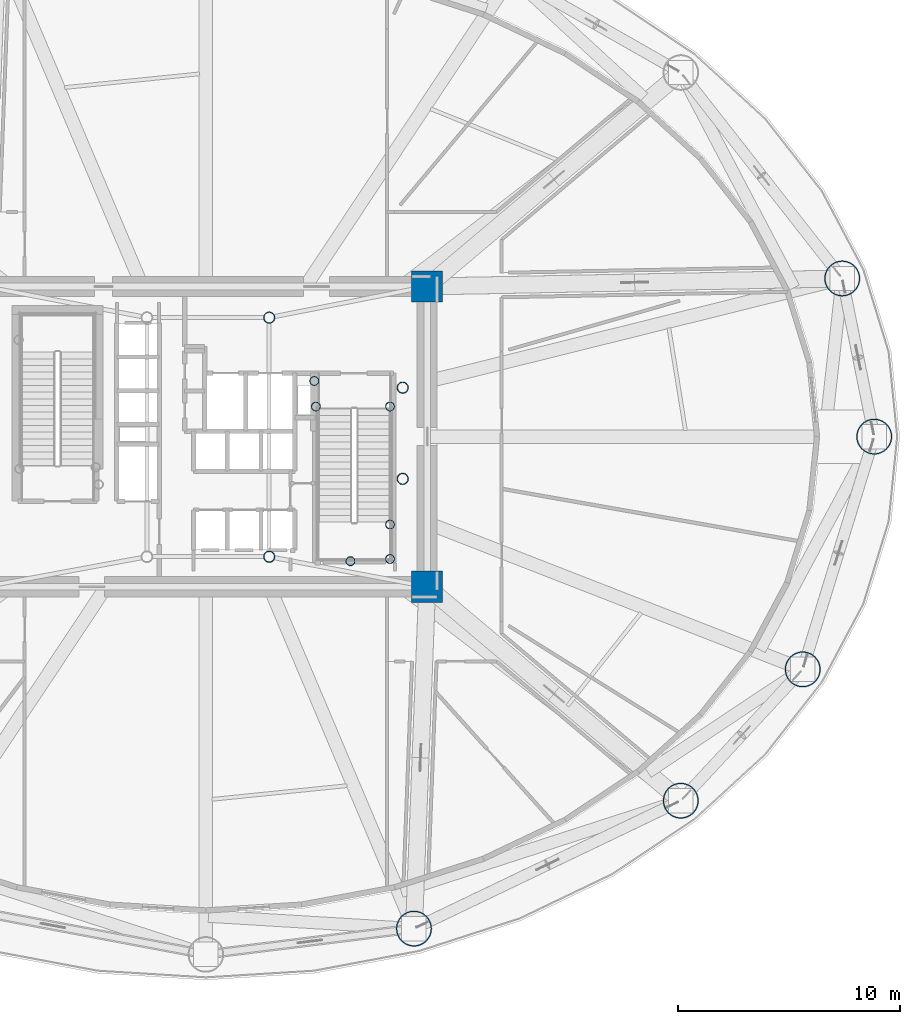
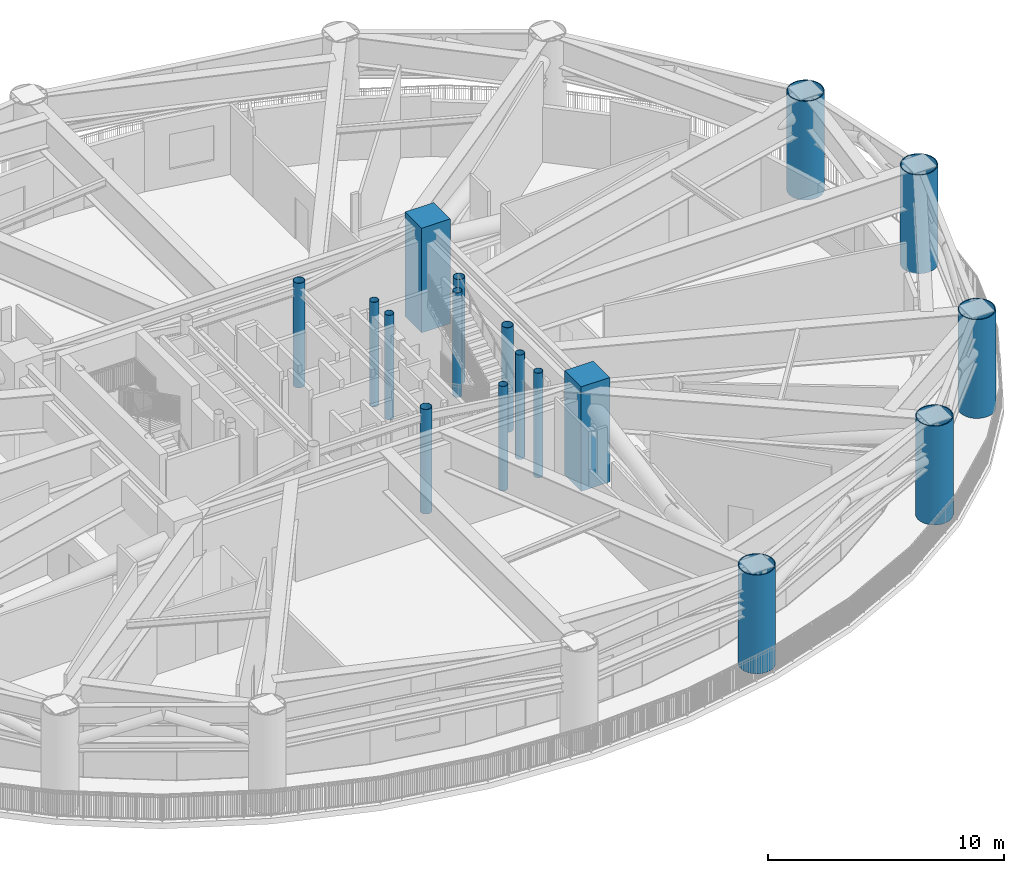
# One storey, part 2 of 22: 17 columns.
"""IFC4 building model written with IfcOpenShell, lengths in metres."""

from ifc_helpers import new_model, si_unit, direction, frame, origin, origin_2d, place, context, subcontext, project, spatial, rectangle, hollow_circle, extrude, material, material_profile, profile_set, type_object, element, save


model = new_model("IFC4")

# Units and contexts
model_context = context("Model", 3, precision=1e-05, world=origin(), true_north=direction((0.0, 1.0)))
body_context = subcontext(model_context, "Body", "Model", "MODEL_VIEW")
ifc_project = project(units=[si_unit("LENGTHUNIT", "METRE"), si_unit("AREAUNIT", "SQUARE_METRE"), si_unit("VOLUMEUNIT", "CUBIC_METRE"), si_unit("PLANEANGLEUNIT", "RADIAN"), si_unit("MASSUNIT", "GRAM", prefix="KILO")], contexts=[model_context])

# Site, building, storey
site_placement = place(None, origin())
site = spatial("IfcSite", under=ifc_project, at=site_placement, CompositionType="ELEMENT")
building_placement = place(site_placement, origin())
building = spatial("IfcBuilding", under=site, at=building_placement, Name="Linh Dai School and Residence Tower", CompositionType="ELEMENT")
storey_placement = place(building_placement, frame((0.0, 0.0, 87.0)))
storey = spatial("IfcBuildingStorey", under=building, at=storey_placement, Name="L20", CompositionType="ELEMENT", Elevation=87.0)

# Columns
ifc_material_1 = material(Name="Concrete B60 (C50/60)", Category="concrete")
ifc_material_profile_1 = material_profile(ifc_material_1, rectangle(XDim=1.39990234375, YDim=1.39990234375, at=origin_2d()), Name="RC 1400x1400")
ifc_profile_set_1 = profile_set([ifc_material_profile_1], Name="Concrete B60 (C50/60)")
column_type_1 = type_object("IfcColumnType", Name="COL-CC1", PredefinedType="COLUMN", material=ifc_profile_set_1)
for number, where, z_axis, x_axis, name in (
    (1, (45.949951171875, 20.25, 0.0), (0.0, 0.0, 1.0), (1.0, 0.0, 0.0), "L20 Core Corner Pier CC2"),
    (2, (45.949951171875, 33.75, 0.0), (0.0, 0.0, 1.0), (1.0, 0.0, 0.0), "L20 Core Corner Pier CC3"),
):
    element("IfcColumn", number, at=place(storey_placement, frame(where, z_axis=z_axis, x_axis=x_axis)), inside=storey, type_object=column_type_1, Name=name, PredefinedType="COLUMN", context=body_context, shape_type="SweptSolid", body=[
        extrude(rectangle(XDim=1.39990234375, YDim=1.39990234375, at=origin_2d()), origin(), (0.0, 0.0, 1.0), 5.39990234375),
    ])
ifc_material_2 = material(Name="Structural Steel S355JR", Category="steel")
ifc_material_profile_2 = material_profile(ifc_material_2, hollow_circle(Radius=0.203125, WallThickness=0.01611328125, at=origin_2d()), Name="CHS 406.4x16")
ifc_profile_set_2 = profile_set([ifc_material_profile_2], Name="Structural Steel S355JR")
column_type_2 = type_object("IfcColumnType", Name="COL-EC", PredefinedType="COLUMN", material=ifc_profile_set_2)
for number, where, z_axis, x_axis, name in (
    (3, (44.280029296875, 21.5, 0.0), (0.0, 0.0, 1.0), (1.0, 0.0, 0.0), "L20 Stair Shaft Landing Support Pier ST2SE"),
    (4, (44.280029296875, 23.050048828125, 0.0), (0.0, 0.0, 1.0), (1.0, 0.0, 0.0), "L20 Stair Shaft Landing Support Pier ST2NE"),
    (5, (42.5, 21.39990234375, 0.0), (0.0, 0.0, 1.0), (1.0, 0.0, 0.0), "L20 Stair Shaft Landing Support Pier ST2MS"),
    (6, (40.949951171875, 28.35009765625, 0.0), (0.0, 0.0, 1.0), (1.0, 0.0, 0.0), "L20 Stair Shaft Landing Support Pier ST2N1"),
    (7, (44.280029296875, 28.35009765625, 0.0), (0.0, 0.0, 1.0), (1.0, 0.0, 0.0), "L20 Stair Shaft Landing Support Pier ST2N2"),
    (8, (40.8798828125, 29.5, 0.0), (0.0, 0.0, 1.0), (1.0, 0.0, 0.0), "L20 Stair Shaft Landing Support Pier ST2N3"),
):
    element("IfcColumn", number, at=place(storey_placement, frame(where, z_axis=z_axis, x_axis=x_axis)), inside=storey, type_object=column_type_2, Name=name, PredefinedType="COLUMN", context=body_context, shape_type="SweptSolid", body=[
        extrude(hollow_circle(Radius=0.203125, WallThickness=0.01611328125, at=origin_2d()), origin(), (0.0, 0.0, 1.0), 5.39990234375),
    ])
ifc_material_profile_3 = material_profile(ifc_material_2, hollow_circle(Radius=0.800048828125, WallThickness=0.044921875, at=origin_2d()), Name="CHS 1600x45")
ifc_profile_set_3 = profile_set([ifc_material_profile_3], Name="Structural Steel S355JR")
column_type_3 = type_object("IfcColumnType", Name="COL-MC2", PredefinedType="COLUMN", material=ifc_profile_set_3)
for number, where, z_axis, x_axis, name in (
    (9, (66.050048828125, 27.0, 0.0), (0.0, 0.0, 1.0), (1.0, 0.0, 0.0), "L20 Perimeter CFT Mega-Column MC01"),
    (10, (64.61083984375, 34.108642578125, 0.0), (0.0, 0.0, 1.0), (1.0, 0.0, 0.0), "L20 Perimeter CFT Mega-Column MC02"),
    (11, (45.357666015625, 4.880126953125, 0.0), (0.0, 0.0, 1.0), (1.0, 0.0, 0.0), "L20 Perimeter CFT Mega-Column MC14"),
    (12, (57.352783203125, 10.630859375, 0.0), (0.0, 0.0, 1.0), (1.0, 0.0, 0.0), "L20 Perimeter CFT Mega-Column MC15"),
    (13, (62.83544921875, 16.5361328125, 0.0), (0.0, 0.0, 1.0), (1.0, 0.0, 0.0), "L20 Perimeter CFT Mega-Column MC16"),
):
    element("IfcColumn", number, at=place(storey_placement, frame(where, z_axis=z_axis, x_axis=x_axis)), inside=storey, type_object=column_type_3, Name=name, PredefinedType="COLUMN", context=body_context, shape_type="SweptSolid", body=[
        extrude(hollow_circle(Radius=0.800048828125, WallThickness=0.044921875, at=origin_2d()), origin(), (0.0, 0.0, 1.0), 5.10009765625),
    ])
ifc_material_profile_4 = material_profile(ifc_material_2, hollow_circle(Radius=0.25390625, WallThickness=0.02001953125, at=origin_2d()), Name="CHS 508x20")
ifc_profile_set_4 = profile_set([ifc_material_profile_4], Name="Structural Steel S355JR")
column_type_4 = type_object("IfcColumnType", Name="COL-MCP", PredefinedType="COLUMN", material=ifc_profile_set_4)
for number, where, z_axis, x_axis, name in (
    (14, (38.85009765625, 21.60009765625, 0.0), (0.0, 0.0, 1.0), (1.0, 0.0, 0.0), "L20 Core Mast Support Pier MCP2"),
    (15, (38.85009765625, 32.35009765625, 0.0), (0.0, 0.0, 1.0), (1.0, 0.0, 0.0), "L20 Core Mast Support Pier MCP3"),
    (16, (44.85009765625, 25.10009765625, 0.0), (0.0, 0.0, 1.0), (1.0, 0.0, 0.0), "L20 Sky-Lounge Core Anchor Pier S"),
    (17, (44.85009765625, 29.199951171875, 0.0), (0.0, 0.0, 1.0), (1.0, 0.0, 0.0), "L20 Sky-Lounge Core Anchor Pier N"),
):
    element("IfcColumn", number, at=place(storey_placement, frame(where, z_axis=z_axis, x_axis=x_axis)), inside=storey, type_object=column_type_4, Name=name, PredefinedType="COLUMN", context=body_context, shape_type="SweptSolid", body=[
        extrude(hollow_circle(Radius=0.25390625, WallThickness=0.02001953125, at=origin_2d()), origin(), (0.0, 0.0, 1.0), 5.39990234375),
    ])

save(model, "model.ifc")
